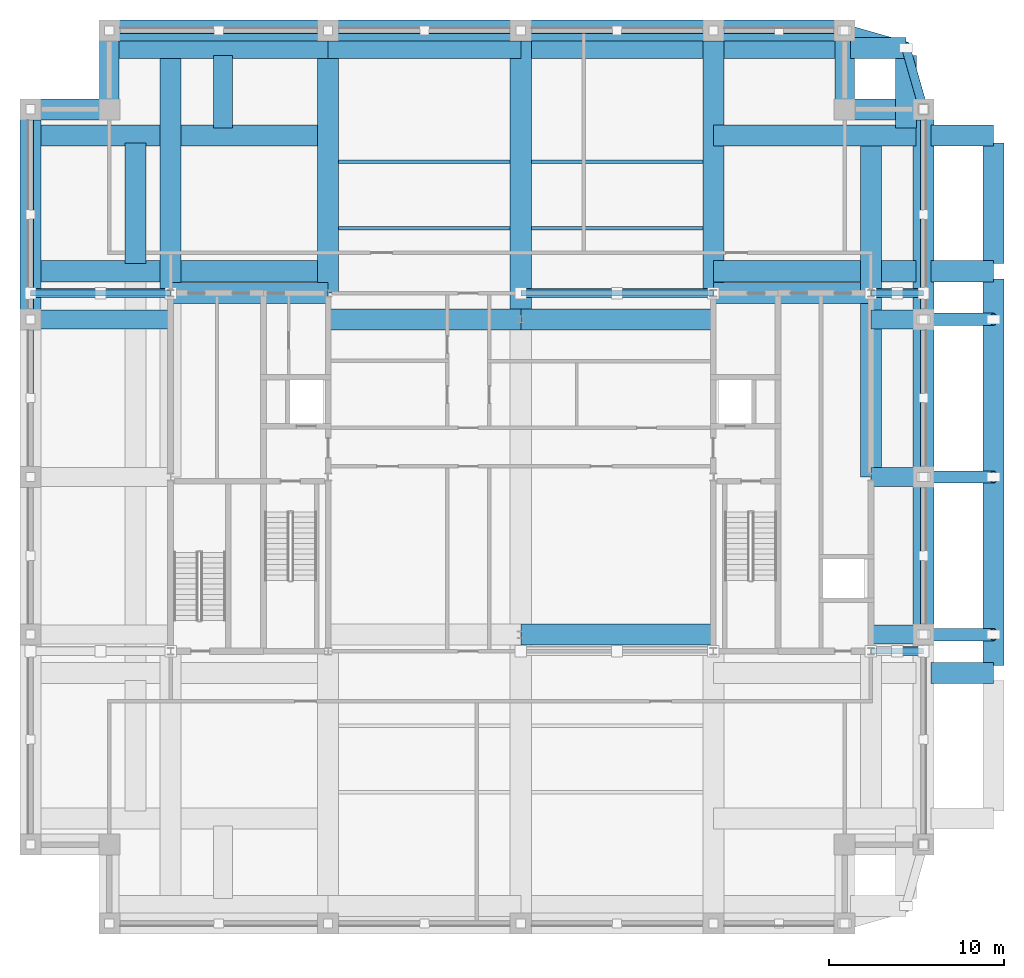
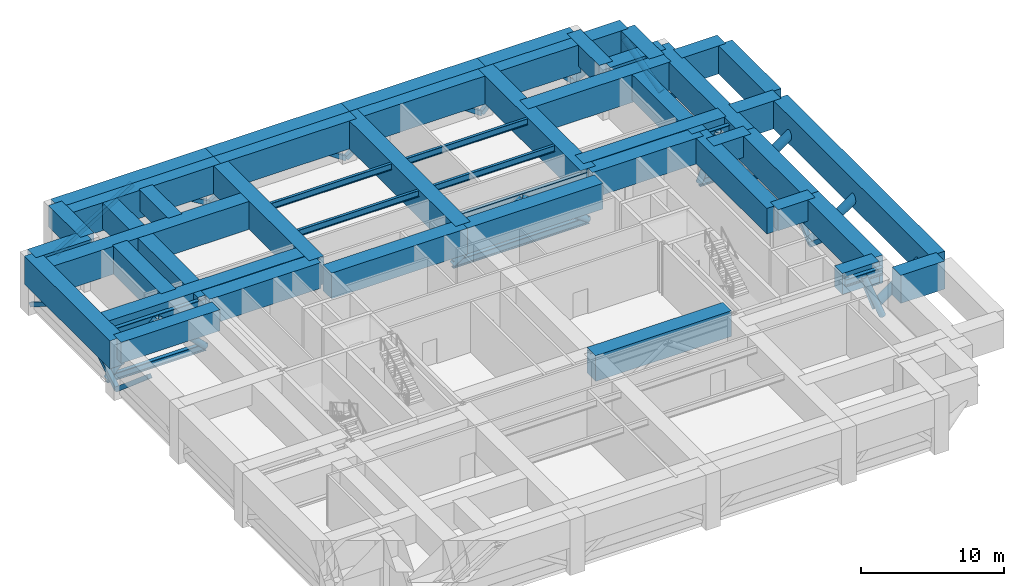
# One storey, part 2 of 10: 47 beams, 36 members.
"""IFC4 building model written with IfcOpenShell, lengths in metres."""

from ifc_helpers import new_model, si_unit, direction, frame, origin, origin_2d, place, context, subcontext, project, spatial, rectangle, hollow_rectangle, hollow_circle, i_section, extrude, material, material_profile, profile_set, type_object, element, save


model = new_model("IFC4")

# Units and contexts
model_context = context("Model", 3, precision=1e-05, world=origin(), true_north=direction((0.0, 1.0)))
body_context = subcontext(model_context, "Body", "Model", "MODEL_VIEW")
ifc_project = project(units=[si_unit("LENGTHUNIT", "METRE"), si_unit("AREAUNIT", "SQUARE_METRE"), si_unit("VOLUMEUNIT", "CUBIC_METRE"), si_unit("PLANEANGLEUNIT", "RADIAN"), si_unit("MASSUNIT", "GRAM", prefix="KILO")], contexts=[model_context])

# Site, building, storey
site_placement = place(None, origin())
site = spatial("IfcSite", under=ifc_project, at=site_placement, CompositionType="ELEMENT")
building_placement = place(site_placement, origin())
building = spatial("IfcBuilding", under=site, at=building_placement, Name="Zulmaris Gate Convention Tower", CompositionType="ELEMENT")
storey_placement = place(building_placement, frame((0.0, 0.0, 153.47998046875)))
storey = spatial("IfcBuildingStorey", under=building, at=storey_placement, Name="L39", CompositionType="ELEMENT", Elevation=153.47998046875)

# Beams
ifc_material_1 = material(Name="Concrete C80/95", Category="concrete")
ifc_material_profile_1 = material_profile(ifc_material_1, rectangle(XDim=1.10009765625, YDim=1.800048828125, at=origin_2d()), Name="RC TRANSFER 1100x1800")
ifc_profile_set_1 = profile_set([ifc_material_profile_1], Name="Concrete C80/95")
beam_type_1 = type_object("IfcBeamType", Name="BM-XFER1800", PredefinedType="BEAM", material=ifc_profile_set_1)
for number, where, z_axis, x_axis, name in (
    (1, (-23.5, 21.0, 3.434814453125), (0.0, 1.0, 0.0), (-1.0, 0.0, 0.0), "L39 Beam XFCOLV-L39-CXWN"),
    (2, (18.5, 21.0, 3.434814453125), (0.0, 1.0, 0.0), (-1.0, 0.0, 0.0), "L39 Beam XFCOLV-L39-CXEN"),
):
    element("IfcBeam", number, at=place(storey_placement, frame(where, z_axis=z_axis, x_axis=x_axis)), inside=storey, type_object=beam_type_1, Name=name, PredefinedType="BEAM", context=body_context, shape_type="SweptSolid", body=[
        extrude(rectangle(XDim=1.10009765625, YDim=1.800048828125, at=origin_2d()), origin(), (0.0, 0.0, 1.0), 4.5),
    ])
beam_1_placement = place(storey_placement, frame((-17.0, 19.93505859375, 3.434814453125), z_axis=(0.0, 1.0, 0.0), x_axis=(-1.0, 0.0, 0.0)))
element("IfcBeam", 3, at=beam_1_placement, inside=storey, type_object=beam_type_1, Name="L39 Beam XFNCH-L39-WC-+19.5", PredefinedType="BEAM", context=body_context, shape_type="SweptSolid", body=[
    extrude(rectangle(XDim=1.10009765625, YDim=1.800048828125, at=origin_2d()), origin(), (0.0, 0.0, 1.0), 4.1298828125),
])
beam_2_placement = place(storey_placement, frame((-28.0, 9.0, 3.434814453125), z_axis=(1.0, 0.0, 0.0), x_axis=(0.0, 1.0, 0.0)))
element("IfcBeam", 4, at=beam_2_placement, inside=storey, type_object=beam_type_1, Name="L39 Beam BM-L39-G18", PredefinedType="BEAM", context=body_context, shape_type="SweptSolid", body=[
    extrude(rectangle(XDim=1.10009765625, YDim=1.800048828125, at=origin_2d()), origin(), (0.0, 0.0, 1.0), 8.0),
])
for number, where, z_axis, x_axis, name in (
    (5, (20.0, -9.0, 3.434814453125), (1.0, 0.0, 0.0), (0.0, 1.0, 0.0), "L39 Beam BM-L39-G19"),
    (6, (20.0, 0.0, 3.434814453125), (1.0, 0.0, 0.0), (0.0, 1.0, 0.0), "L39 Beam BM-L39-G20"),
    (7, (20.0, 9.0, 3.434814453125), (1.0, 0.0, 0.0), (0.0, 1.0, 0.0), "L39 Beam BM-L39-G21"),
):
    element("IfcBeam", number, at=place(storey_placement, frame(where, z_axis=z_axis, x_axis=x_axis)), inside=storey, type_object=beam_type_1, Name=name, PredefinedType="BEAM", context=body_context, shape_type="SweptSolid", body=[
        extrude(rectangle(XDim=1.10009765625, YDim=1.800048828125, at=origin_2d()), origin(), (0.0, 0.0, 1.0), 3.0),
    ])
ifc_material_profile_2 = material_profile(ifc_material_1, rectangle(XDim=1.199951171875, YDim=2.199951171875, at=origin_2d()), Name="RC TRANSFER 1200x2200")
ifc_profile_set_2 = profile_set([ifc_material_profile_2], Name="Concrete C80/95")
beam_type_2 = type_object("IfcBeamType", Name="BM-XFER2200", PredefinedType="BEAM", material=ifc_profile_set_2)
for number, where, z_axis, x_axis, name in (
    (8, (0.0, -9.0, 3.234619140625), (1.0, 0.0, 0.0), (0.0, 1.0, 0.0), "L39 Beam BM-L39-G02"),
    (9, (-11.0, 9.0, 3.234619140625), (1.0, 0.0, 0.0), (0.0, 1.0, 0.0), "L39 Beam BM-L39-G03"),
    (10, (0.0, 9.0, 3.234619140625), (1.0, 0.0, 0.0), (0.0, 1.0, 0.0), "L39 Beam BM-L39-G04"),
):
    element("IfcBeam", number, at=place(storey_placement, frame(where, z_axis=z_axis, x_axis=x_axis)), inside=storey, type_object=beam_type_2, Name=name, PredefinedType="BEAM", context=body_context, shape_type="SweptSolid", body=[
        extrude(rectangle(XDim=1.199951171875, YDim=2.199951171875, at=origin_2d()), origin(), (0.0, 0.0, 1.0), 11.0),
    ])
beam_3_placement = place(storey_placement, frame((-20.0, 10.5, 3.234619140625), z_axis=(0.0, 1.0, 0.0), x_axis=(-1.0, 0.0, 0.0)))
element("IfcBeam", 11, at=beam_3_placement, inside=storey, type_object=beam_type_2, Name="L39 Beam BM-L39-G13", PredefinedType="BEAM", context=body_context, shape_type="SweptSolid", body=[
    extrude(rectangle(XDim=1.199951171875, YDim=2.199951171875, at=origin_2d()), origin(), (0.0, 0.0, 1.0), 15.0),
])
beam_4_placement = place(storey_placement, frame((20.0, 10.5, 3.234619140625), z_axis=(0.0, 1.0, 0.0), x_axis=(-1.0, 0.0, 0.0)))
element("IfcBeam", 12, at=beam_4_placement, inside=storey, type_object=beam_type_2, Name="L39 Beam BM-L39-G15", PredefinedType="BEAM", context=body_context, shape_type="SweptSolid", body=[
    extrude(rectangle(XDim=1.199951171875, YDim=2.199951171875, at=origin_2d()), origin(), (0.0, 0.0, 1.0), 8.4150390625),
])
for number, where, z_axis, x_axis, name in (
    (13, (-20.0, 10.5, 3.234619140625), (1.0, 0.0, 0.0), (0.0, 1.0, 0.0), "L39 Beam BM-L39-G23"),
    (14, (11.0, 10.5, 3.234619140625), (1.0, 0.0, 0.0), (0.0, 1.0, 0.0), "L39 Beam BM-L39-G25"),
):
    element("IfcBeam", number, at=place(storey_placement, frame(where, z_axis=z_axis, x_axis=x_axis)), inside=storey, type_object=beam_type_2, Name=name, PredefinedType="BEAM", context=body_context, shape_type="SweptSolid", body=[
        extrude(rectangle(XDim=1.199951171875, YDim=2.199951171875, at=origin_2d()), origin(), (0.0, 0.0, 1.0), 9.0),
    ])
beam_5_placement = place(storey_placement, frame((20.0, 0.0, 3.234619140625), z_axis=(0.0, 1.0, 0.0), x_axis=(-1.0, 0.0, 0.0)))
element("IfcBeam", 15, at=beam_5_placement, inside=storey, type_object=beam_type_2, Name="L39 Beam BM-L39-G29", PredefinedType="BEAM", context=body_context, shape_type="SweptSolid", body=[
    extrude(rectangle(XDim=1.199951171875, YDim=2.199951171875, at=origin_2d()), origin(), (0.0, 0.0, 1.0), 10.5),
])
ifc_material_profile_3 = material_profile(ifc_material_1, rectangle(XDim=1.199951171875, YDim=2.39990234375, at=origin_2d()), Name="RC TRANSFER 1200x2400")
ifc_profile_set_3 = profile_set([ifc_material_profile_3], Name="Concrete C80/95")
beam_type_3 = type_object("IfcBeamType", Name="BM-XFER2400", PredefinedType="BEAM", material=ifc_profile_set_3)
beam_6_placement = place(storey_placement, frame((-28.0, 9.0, 3.134765625), z_axis=(0.0, 1.0, 0.0), x_axis=(-1.0, 0.0, 0.0)))
element("IfcBeam", 16, at=beam_6_placement, inside=storey, type_object=beam_type_3, Name="L39 Beam XFCOLV-L39-XWN", PredefinedType="BEAM", context=body_context, shape_type="SweptSolid", body=[
    extrude(rectangle(XDim=1.199951171875, YDim=2.39990234375, at=origin_2d()), origin(), (0.0, 0.0, 1.0), 12.0),
])
for number, where, z_axis, x_axis, name in (
    (17, (23.0, -9.0, 3.134765625), (0.0, 1.0, 0.0), (-1.0, 0.0, 0.0), "L39 Beam XFCOLV-L39-XEM1"),
    (18, (23.0, 0.0, 3.134765625), (0.0, 1.0, 0.0), (-1.0, 0.0, 0.0), "L39 Beam XFCOLV-L39-XEM2"),
):
    element("IfcBeam", number, at=place(storey_placement, frame(where, z_axis=z_axis, x_axis=x_axis)), inside=storey, type_object=beam_type_3, Name=name, PredefinedType="BEAM", context=body_context, shape_type="SweptSolid", body=[
        extrude(rectangle(XDim=1.199951171875, YDim=2.39990234375, at=origin_2d()), origin(), (0.0, 0.0, 1.0), 9.0),
    ])
beam_7_placement = place(storey_placement, frame((23.0, 9.0, 3.134765625), z_axis=(0.0, 1.0, 0.0), x_axis=(-1.0, 0.0, 0.0)))
element("IfcBeam", 19, at=beam_7_placement, inside=storey, type_object=beam_type_3, Name="L39 Beam XFCOLV-L39-XEN", PredefinedType="BEAM", context=body_context, shape_type="SweptSolid", body=[
    extrude(rectangle(XDim=1.199951171875, YDim=2.39990234375, at=origin_2d()), origin(), (0.0, 0.0, 1.0), 12.0),
])
for number, where, z_axis, x_axis, name in (
    (20, (-11.0, 10.5, 3.134765625), (0.0, 1.0, 0.0), (-1.0, 0.0, 0.0), "L39 Beam XFCOLV-L39-C11WN"),
    (21, (11.0, 10.5, 3.134765625), (0.0, 1.0, 0.0), (-1.0, 0.0, 0.0), "L39 Beam XFCOLV-L39-C11EN"),
):
    element("IfcBeam", number, at=place(storey_placement, frame(where, z_axis=z_axis, x_axis=x_axis)), inside=storey, type_object=beam_type_3, Name=name, PredefinedType="BEAM", context=body_context, shape_type="SweptSolid", body=[
        extrude(rectangle(XDim=1.199951171875, YDim=2.39990234375, at=origin_2d()), origin(), (0.0, 0.0, 1.0), 15.0),
    ])
beam_8_placement = place(storey_placement, frame((0.0, 9.0, 3.134765625), z_axis=(0.0, 1.0, 0.0), x_axis=(-1.0, 0.0, 0.0)))
element("IfcBeam", 22, at=beam_8_placement, inside=storey, type_object=beam_type_3, Name="L39 Beam XFCOLV-L39-C0N", PredefinedType="BEAM", context=body_context, shape_type="SweptSolid", body=[
    extrude(rectangle(XDim=1.199951171875, YDim=2.39990234375, at=origin_2d()), origin(), (0.0, 0.0, 1.0), 16.5),
])
beam_9_placement = place(storey_placement, frame((23.43505859375, -11.199951171875, 3.134765625), z_axis=(1.0, 0.0, 0.0), x_axis=(0.0, 1.0, 0.0)))
element("IfcBeam", 23, at=beam_9_placement, inside=storey, type_object=beam_type_3, Name="L39 Beam XFSF-L39-E--11.20", PredefinedType="BEAM", context=body_context, shape_type="SweptSolid", body=[
    extrude(rectangle(XDim=1.199951171875, YDim=2.39990234375, at=origin_2d()), origin(), (0.0, 0.0, 1.0), 3.56494140625),
])
beam_10_placement = place(storey_placement, frame((11.0, 11.75, 3.134765625), z_axis=(1.0, 0.0, 0.0), x_axis=(0.0, 1.0, 0.0)))
element("IfcBeam", 24, at=beam_10_placement, inside=storey, type_object=beam_type_3, Name="L39 Beam XFBS-L39-E-+11.75", PredefinedType="BEAM", context=body_context, shape_type="SweptSolid", body=[
    extrude(rectangle(XDim=1.199951171875, YDim=2.39990234375, at=origin_2d()), origin(), (0.0, 0.0, 1.0), 11.56494140625),
])
beam_11_placement = place(storey_placement, frame((23.43505859375, 11.75, 3.134765625), z_axis=(1.0, 0.0, 0.0), x_axis=(0.0, 1.0, 0.0)))
element("IfcBeam", 25, at=beam_11_placement, inside=storey, type_object=beam_type_3, Name="L39 Beam XFSF-L39-E-+11.75", PredefinedType="BEAM", context=body_context, shape_type="SweptSolid", body=[
    extrude(rectangle(XDim=1.199951171875, YDim=2.39990234375, at=origin_2d()), origin(), (0.0, 0.0, 1.0), 3.56494140625),
])
beam_12_placement = place(storey_placement, frame((11.0, 19.5, 3.134765625), z_axis=(1.0, 0.0, 0.0), x_axis=(0.0, 1.0, 0.0)))
element("IfcBeam", 26, at=beam_12_placement, inside=storey, type_object=beam_type_3, Name="L39 Beam XFBS-L39-E-+19.50", PredefinedType="BEAM", context=body_context, shape_type="SweptSolid", body=[
    extrude(rectangle(XDim=1.199951171875, YDim=2.39990234375, at=origin_2d()), origin(), (0.0, 0.0, 1.0), 11.56494140625),
])
beam_13_placement = place(storey_placement, frame((23.43505859375, 19.5, 3.134765625), z_axis=(1.0, 0.0, 0.0), x_axis=(0.0, 1.0, 0.0)))
element("IfcBeam", 27, at=beam_13_placement, inside=storey, type_object=beam_type_3, Name="L39 Beam XFSF-L39-E-+19.50", PredefinedType="BEAM", context=body_context, shape_type="SweptSolid", body=[
    extrude(rectangle(XDim=1.199951171875, YDim=2.39990234375, at=origin_2d()), origin(), (0.0, 0.0, 1.0), 3.56494140625),
])
beam_14_placement = place(storey_placement, frame((27.0, -10.764892578125, 3.134765625), z_axis=(0.0, 1.0, 0.0), x_axis=(-1.0, 0.0, 0.0)))
element("IfcBeam", 28, at=beam_14_placement, inside=storey, type_object=beam_type_3, Name="L39 Beam XFEDG-L39-EM", PredefinedType="BEAM", context=body_context, shape_type="SweptSolid", body=[
    extrude(rectangle(XDim=1.199951171875, YDim=2.39990234375, at=origin_2d()), origin(), (0.0, 0.0, 1.0), 22.079833984375),
])
beam_15_placement = place(storey_placement, frame((27.0, 12.18505859375, 3.134765625), z_axis=(0.0, 1.0, 0.0), x_axis=(-1.0, 0.0, 0.0)))
element("IfcBeam", 29, at=beam_15_placement, inside=storey, type_object=beam_type_3, Name="L39 Beam XFEDG-L39-EN", PredefinedType="BEAM", context=body_context, shape_type="SweptSolid", body=[
    extrude(rectangle(XDim=1.199951171875, YDim=2.39990234375, at=origin_2d()), origin(), (0.0, 0.0, 1.0), 6.8798828125),
])
beam_16_placement = place(storey_placement, frame((0.43505859375, 24.5, 3.134765625), z_axis=(1.0, 0.0, 0.0), x_axis=(0.0, 1.0, 0.0)))
element("IfcBeam", 30, at=beam_16_placement, inside=storey, type_object=beam_type_3, Name="L39 Beam XFBS-L39-EC-+24.5", PredefinedType="BEAM", context=body_context, shape_type="SweptSolid", body=[
    extrude(rectangle(XDim=1.199951171875, YDim=2.39990234375, at=origin_2d()), origin(), (0.0, 0.0, 1.0), 17.72998046875),
])
beam_17_placement = place(storey_placement, frame((18.8349609375, 24.5, 3.134765625), z_axis=(1.0, 0.0, 0.0), x_axis=(0.0, 1.0, 0.0)))
element("IfcBeam", 31, at=beam_17_placement, inside=storey, type_object=beam_type_3, Name="L39 Beam XFSF-L39-EC-+24.5", PredefinedType="BEAM", context=body_context, shape_type="SweptSolid", body=[
    extrude(rectangle(XDim=1.199951171875, YDim=2.39990234375, at=origin_2d()), origin(), (0.0, 0.0, 1.0), 3.1650390625),
])
for number, where, z_axis, x_axis, name in (
    (32, (-28.0, 11.75, 3.134765625), (1.0, 0.0, 0.0), (0.0, 1.0, 0.0), "L39 Beam XFREC-L39-W-+11.75"),
    (33, (-28.0, 19.5, 3.134765625), (1.0, 0.0, 0.0), (0.0, 1.0, 0.0), "L39 Beam XFREC-L39-W-+19.50"),
):
    element("IfcBeam", number, at=place(storey_placement, frame(where, z_axis=z_axis, x_axis=x_axis)), inside=storey, type_object=beam_type_3, Name=name, PredefinedType="BEAM", context=body_context, shape_type="SweptSolid", body=[
        extrude(rectangle(XDim=1.199951171875, YDim=2.39990234375, at=origin_2d()), origin(), (0.0, 0.0, 1.0), 17.0),
    ])
beam_18_placement = place(storey_placement, frame((-22.0, 12.18505859375, 3.134765625), z_axis=(0.0, 1.0, 0.0), x_axis=(-1.0, 0.0, 0.0)))
element("IfcBeam", 34, at=beam_18_placement, inside=storey, type_object=beam_type_3, Name="L39 Beam XFEDG-L39-WN", PredefinedType="BEAM", context=body_context, shape_type="SweptSolid", body=[
    extrude(rectangle(XDim=1.199951171875, YDim=2.39990234375, at=origin_2d()), origin(), (0.0, 0.0, 1.0), 6.8798828125),
])
beam_19_placement = place(storey_placement, frame((-23.5, 24.5, 3.134765625), z_axis=(1.0, 0.0, 0.0), x_axis=(0.0, 1.0, 0.0)))
element("IfcBeam", 35, at=beam_19_placement, inside=storey, type_object=beam_type_3, Name="L39 Beam XFREC-L39-WC-+24.5", PredefinedType="BEAM", context=body_context, shape_type="SweptSolid", body=[
    extrude(rectangle(XDim=1.199951171875, YDim=2.39990234375, at=origin_2d()), origin(), (0.0, 0.0, 1.0), 12.5),
])
beam_20_placement = place(storey_placement, frame((-11.0, 24.5, 3.134765625), z_axis=(1.0, 0.0, 0.0), x_axis=(0.0, 1.0, 0.0)))
element("IfcBeam", 36, at=beam_20_placement, inside=storey, type_object=beam_type_3, Name="L39 Beam XFREC-L39-M1-+24.5", PredefinedType="BEAM", context=body_context, shape_type="SweptSolid", body=[
    extrude(rectangle(XDim=1.199951171875, YDim=2.39990234375, at=origin_2d()), origin(), (0.0, 0.0, 1.0), 11.0),
])
beam_21_placement = place(storey_placement, frame((22.0, 19.93505859375, 3.134765625), z_axis=(0.0, 1.0, 0.0), x_axis=(-1.0, 0.0, 0.0)))
element("IfcBeam", 37, at=beam_21_placement, inside=storey, type_object=beam_type_3, Name="L39 Beam XFNCH-L39-EC-+19.5", PredefinedType="BEAM", context=body_context, shape_type="SweptSolid", body=[
    extrude(rectangle(XDim=1.199951171875, YDim=2.39990234375, at=origin_2d()), origin(), (0.0, 0.0, 1.0), 4.1298828125),
])
beam_22_placement = place(storey_placement, frame((23.0, 21.0, 3.134765625), z_axis=(-1.0, 0.0, 0.0), x_axis=(0.0, -1.0, 0.0)))
element("IfcBeam", 38, at=beam_22_placement, inside=storey, type_object=beam_type_3, Name="L39 Beam SP-L39-11", PredefinedType="BEAM", context=body_context, shape_type="SweptSolid", body=[
    extrude(rectangle(XDim=1.199951171875, YDim=2.39990234375, at=origin_2d()), origin(), (0.0, 0.0, 1.0), 4.5),
])
beam_23_placement = place(storey_placement, frame((18.5, 25.5, 3.134765625), z_axis=(-1.0, 0.0, 0.0), x_axis=(0.0, -1.0, 0.0)))
element("IfcBeam", 39, at=beam_23_placement, inside=storey, type_object=beam_type_3, Name="L39 Beam SP-L39-13", PredefinedType="BEAM", context=body_context, shape_type="SweptSolid", body=[
    extrude(rectangle(XDim=1.199951171875, YDim=2.39990234375, at=origin_2d()), origin(), (0.0, 0.0, 1.0), 7.5),
])
for number, where, z_axis, x_axis, name in (
    (40, (11.0, 25.5, 3.134765625), (-1.0, 0.0, 0.0), (0.0, -1.0, 0.0), "L39 Beam SP-L39-14"),
    (41, (0.0, 25.5, 3.134765625), (-1.0, 0.0, 0.0), (0.0, -1.0, 0.0), "L39 Beam SP-L39-15"),
):
    element("IfcBeam", number, at=place(storey_placement, frame(where, z_axis=z_axis, x_axis=x_axis)), inside=storey, type_object=beam_type_3, Name=name, PredefinedType="BEAM", context=body_context, shape_type="SweptSolid", body=[
        extrude(rectangle(XDim=1.199951171875, YDim=2.39990234375, at=origin_2d()), origin(), (0.0, 0.0, 1.0), 11.0),
    ])
beam_24_placement = place(storey_placement, frame((-11.0, 25.5, 3.134765625), z_axis=(-1.0, 0.0, 0.0), x_axis=(0.0, -1.0, 0.0)))
element("IfcBeam", 42, at=beam_24_placement, inside=storey, type_object=beam_type_3, Name="L39 Beam SP-L39-16", PredefinedType="BEAM", context=body_context, shape_type="SweptSolid", body=[
    extrude(rectangle(XDim=1.199951171875, YDim=2.39990234375, at=origin_2d()), origin(), (0.0, 0.0, 1.0), 12.5),
])
beam_25_placement = place(storey_placement, frame((-23.5, 21.0, 3.134765625), z_axis=(-1.0, 0.0, 0.0), x_axis=(0.0, -1.0, 0.0)))
element("IfcBeam", 43, at=beam_25_placement, inside=storey, type_object=beam_type_3, Name="L39 Beam SP-L39-18", PredefinedType="BEAM", context=body_context, shape_type="SweptSolid", body=[
    extrude(rectangle(XDim=1.199951171875, YDim=2.39990234375, at=origin_2d()), origin(), (0.0, 0.0, 1.0), 4.5),
])

# Members
ifc_material_2 = material(Name="Steel S460", Category="steel")
ifc_material_profile_4 = material_profile(ifc_material_2, hollow_circle(Radius=0.25390625, WallThickness=0.02490234375, at=origin_2d()), Name="CHS 508x25")
ifc_profile_set_4 = profile_set([ifc_material_profile_4], Name="Steel S460")
member_type_1 = type_object("IfcMemberType", Name="BR-CHS508", PredefinedType="BRACE", material=ifc_profile_set_4)
member_1_placement = place(storey_placement, frame((23.0, 21.0, 0.35009765625), z_axis=(-0.218195159141, 0.763683056993, 0.607601070596), x_axis=(-0.961523947641, -0.274721127897, 0.0)))
element("IfcMember", 44, at=member_1_placement, inside=storey, type_object=member_type_1, Name="L39 Shifted Block Notch Web Strut EC +24.5", PredefinedType="BRACE", context=body_context, shape_type="SweptSolid", body=[
    extrude(hollow_circle(Radius=0.25390625, WallThickness=0.02490234375, at=origin_2d()), origin(), (0.0, 0.0, 1.0), 4.5830078125),
])
member_2_placement = place(storey_placement, frame((21.5, -9.949951171875, 3.834716796875), z_axis=(0.364285331726, 0.0, -0.931287386949), x_axis=(0.0, 1.0, 0.0)))
element("IfcMember", 45, at=member_2_placement, inside=storey, type_object=member_type_1, Name="L39 Outrigger Truss Diagonal OT-L39-DG--9.9-+20-B", PredefinedType="BRACE", context=body_context, shape_type="SweptSolid", body=[
    extrude(hollow_circle(Radius=0.25390625, WallThickness=0.02490234375, at=origin_2d()), origin(), (0.0, 0.0, 1.0), 4.11767578125),
])
for number, where, z_axis, x_axis, name in (
    (46, (-28.0, 10.5, 0.0), (0.721863472383, 0.0, 0.69203549565), (0.0, 1.0, 0.0), "L39 Outrigger Truss Diagonal OT-L39-DG-+10.5--28-A"),
    (47, (-24.0, 10.5, 3.834716796875), (0.721863472383, 0.0, -0.69203549565), (0.0, 1.0, 0.0), "L39 Outrigger Truss Diagonal OT-L39-DG-+10.5--28-B"),
):
    element("IfcMember", number, at=place(storey_placement, frame(where, z_axis=z_axis, x_axis=x_axis)), inside=storey, type_object=member_type_1, Name=name, PredefinedType="BRACE", context=body_context, shape_type="SweptSolid", body=[
        extrude(hollow_circle(Radius=0.25390625, WallThickness=0.02490234375, at=origin_2d()), origin(), (0.0, 0.0, 1.0), 5.541259765625),
    ])
for number, where, z_axis, x_axis, name in (
    (48, (20.0, 10.5, 0.0), (0.364285331726, 0.0, 0.931287386949), (0.0, 1.0, 0.0), "L39 Outrigger Truss Diagonal OT-L39-DG-+10.5-+20-A"),
    (49, (21.5, 10.5, 3.834716796875), (0.364285331726, 0.0, -0.931287386949), (0.0, 1.0, 0.0), "L39 Outrigger Truss Diagonal OT-L39-DG-+10.5-+20-B"),
):
    element("IfcMember", number, at=place(storey_placement, frame(where, z_axis=z_axis, x_axis=x_axis)), inside=storey, type_object=member_type_1, Name=name, PredefinedType="BRACE", context=body_context, shape_type="SweptSolid", body=[
        extrude(hollow_circle(Radius=0.25390625, WallThickness=0.02490234375, at=origin_2d()), origin(), (0.0, 0.0, 1.0), 4.11767578125),
    ])
for number, where, z_axis, x_axis, name in (
    (50, (0.0, 10.5, 0.0), (0.820301362513, 0.0, 0.571931529696), (0.0, 1.0, 0.0), "L39 Outrigger Truss Diagonal OT-L39-DG-+10.5-+0-A"),
    (51, (5.5, 10.5, 3.834716796875), (0.820301362513, 0.0, -0.571931529696), (0.0, 1.0, 0.0), "L39 Outrigger Truss Diagonal OT-L39-DG-+10.5-+0-B"),
):
    element("IfcMember", number, at=place(storey_placement, frame(where, z_axis=z_axis, x_axis=x_axis)), inside=storey, type_object=member_type_1, Name=name, PredefinedType="BRACE", context=body_context, shape_type="SweptSolid", body=[
        extrude(hollow_circle(Radius=0.25390625, WallThickness=0.02490234375, at=origin_2d()), origin(), (0.0, 0.0, 1.0), 6.704833984375),
    ])
ifc_material_profile_5 = material_profile(ifc_material_2, hollow_circle(Radius=0.35546875, WallThickness=0.035888671875, at=origin_2d()), Name="CHS 711x36")
ifc_profile_set_5 = profile_set([ifc_material_profile_5], Name="Steel S460")
member_type_2 = type_object("IfcMemberType", Name="BR-CHS711", PredefinedType="BRACE", material=ifc_profile_set_5)
for number, where, z_axis, x_axis, name in (
    (52, (23.0, -9.0, 0.35009765625), (0.82070708168, 0.0, 0.57134918052), (0.0, 1.0, 0.0), "L39 Shifted Block Transfer Raking Strut E -9.0"),
    (53, (23.0, 0.0, 0.35009765625), (0.82070708168, 0.0, 0.57134918052), (0.0, 1.0, 0.0), "L39 Shifted Block Transfer Raking Strut E +0.0"),
    (54, (23.0, 9.0, 0.35009765625), (0.82070708168, 0.0, 0.57134918052), (0.0, 1.0, 0.0), "L39 Shifted Block Transfer Raking Strut E +9.0"),
):
    element("IfcMember", number, at=place(storey_placement, frame(where, z_axis=z_axis, x_axis=x_axis)), inside=storey, type_object=member_type_2, Name=name, PredefinedType="BRACE", context=body_context, shape_type="SweptSolid", body=[
        extrude(hollow_circle(Radius=0.35546875, WallThickness=0.035888671875, at=origin_2d()), origin(), (0.0, 0.0, 1.0), 4.873779296875),
    ])
member_3_placement = place(storey_placement, frame((18.5, 25.5, 0.35009765625), z_axis=(0.763683056993, -0.218195159141, 0.607601070596), x_axis=(0.274721127897, 0.961523947641, 0.0)))
element("IfcMember", 55, at=member_3_placement, inside=storey, type_object=member_type_2, Name="L39 Shifted Block Corner Raking Strut EC +24.5", PredefinedType="BRACE", context=body_context, shape_type="SweptSolid", body=[
    extrude(hollow_circle(Radius=0.35546875, WallThickness=0.035888671875, at=origin_2d()), origin(), (0.0, 0.0, 1.0), 4.5830078125),
])
ifc_material_profile_6 = material_profile(ifc_material_2, hollow_rectangle(XDim=0.35009765625, YDim=0.35009765625, WallThickness=0.01611328125, at=origin_2d()), Name="SHS 350x350x16")
ifc_profile_set_6 = profile_set([ifc_material_profile_6], Name="Steel S460")
member_type_3 = type_object("IfcMemberType", Name="BR-SHS350", PredefinedType="BRACE", material=ifc_profile_set_6)
for number, where, z_axis, x_axis, name in (
    (56, (-23.5, 25.5, 0.0), (0.852353760901, 0.0, 0.522965645409), (0.0, 1.0, 0.0), "L39 Perimeter Belt Truss Diagonal 05-1"),
    (57, (-17.25, 25.5, 3.834716796875), (0.852353760901, 0.0, -0.522965645409), (0.0, 1.0, 0.0), "L39 Perimeter Belt Truss Diagonal 05-2"),
):
    element("IfcMember", number, at=place(storey_placement, frame(where, z_axis=z_axis, x_axis=x_axis)), inside=storey, type_object=member_type_3, Name=name, PredefinedType="BRACE", context=body_context, shape_type="SweptSolid", body=[
        extrude(hollow_rectangle(XDim=0.35009765625, YDim=0.35009765625, WallThickness=0.01611328125, at=origin_2d()), origin(), (0.0, 0.0, 1.0), 7.33251953125),
    ])
for number, where, z_axis, x_axis, name in (
    (58, (-11.0, 25.5, 0.0), (0.820301362513, 0.0, 0.571931529696), (0.0, 1.0, 0.0), "L39 Perimeter Belt Truss Diagonal 06-1"),
    (59, (-5.5, 25.5, 3.834716796875), (0.820301362513, 0.0, -0.571931529696), (0.0, 1.0, 0.0), "L39 Perimeter Belt Truss Diagonal 06-2"),
    (60, (0.0, 25.5, 0.0), (0.820301362513, 0.0, 0.571931529696), (0.0, 1.0, 0.0), "L39 Perimeter Belt Truss Diagonal 07-1"),
    (61, (5.5, 25.5, 3.834716796875), (0.820301362513, 0.0, -0.571931529696), (0.0, 1.0, 0.0), "L39 Perimeter Belt Truss Diagonal 07-2"),
):
    element("IfcMember", number, at=place(storey_placement, frame(where, z_axis=z_axis, x_axis=x_axis)), inside=storey, type_object=member_type_3, Name=name, PredefinedType="BRACE", context=body_context, shape_type="SweptSolid", body=[
        extrude(hollow_rectangle(XDim=0.35009765625, YDim=0.35009765625, WallThickness=0.01611328125, at=origin_2d()), origin(), (0.0, 0.0, 1.0), 6.704833984375),
    ])
for number, where, z_axis, x_axis, name in (
    (62, (11.0, 25.5, 0.0), (0.699165205956, 0.0, 0.714960149085), (0.0, 1.0, 0.0), "L39 Perimeter Belt Truss Diagonal 08-1"),
    (63, (14.75, 25.5, 3.834716796875), (0.699165205956, 0.0, -0.714960149085), (0.0, 1.0, 0.0), "L39 Perimeter Belt Truss Diagonal 08-2"),
):
    element("IfcMember", number, at=place(storey_placement, frame(where, z_axis=z_axis, x_axis=x_axis)), inside=storey, type_object=member_type_3, Name=name, PredefinedType="BRACE", context=body_context, shape_type="SweptSolid", body=[
        extrude(hollow_rectangle(XDim=0.35009765625, YDim=0.35009765625, WallThickness=0.01611328125, at=origin_2d()), origin(), (0.0, 0.0, 1.0), 5.363525390625),
    ])
member_4_placement = place(storey_placement, frame((-28.0, 4.5, 3.834716796875), z_axis=(0.0, 0.761127707316, -0.648602045291), x_axis=(-1.0, 0.0, 0.0)))
element("IfcMember", 64, at=member_4_placement, inside=storey, type_object=member_type_3, Name="L39 Perimeter Belt Truss Diagonal 11-2", PredefinedType="BRACE", context=body_context, shape_type="SweptSolid", body=[
    extrude(hollow_rectangle(XDim=0.35009765625, YDim=0.35009765625, WallThickness=0.01611328125, at=origin_2d()), origin(), (0.0, 0.0, 1.0), 5.912353515625),
])
for number, where, z_axis, x_axis, name in (
    (65, (-28.0, 9.0, 0.0), (0.0, 0.842608101106, 0.538527239749), (-1.0, 0.0, 0.0), "L39 Perimeter Belt Truss Diagonal 12-1"),
    (66, (-28.0, 15.0, 3.834716796875), (0.0, 0.842608101106, -0.538527239749), (-1.0, 0.0, 0.0), "L39 Perimeter Belt Truss Diagonal 12-2"),
):
    element("IfcMember", number, at=place(storey_placement, frame(where, z_axis=z_axis, x_axis=x_axis)), inside=storey, type_object=member_type_3, Name=name, PredefinedType="BRACE", context=body_context, shape_type="SweptSolid", body=[
        extrude(hollow_rectangle(XDim=0.35009765625, YDim=0.35009765625, WallThickness=0.01611328125, at=origin_2d()), origin(), (0.0, 0.0, 1.0), 7.120849609375),
    ])
for number, where, z_axis, x_axis, name in (
    (67, (23.0, -9.0, 0.0), (0.0, 0.761127707316, 0.648602045291), (-1.0, 0.0, 0.0), "L39 Perimeter Belt Truss Diagonal 14-1"),
    (68, (23.0, -4.5, 3.834716796875), (0.0, 0.761127707316, -0.648602045291), (-1.0, 0.0, 0.0), "L39 Perimeter Belt Truss Diagonal 14-2"),
    (69, (23.0, 0.0, 0.0), (0.0, 0.761127707316, 0.648602045291), (-1.0, 0.0, 0.0), "L39 Perimeter Belt Truss Diagonal 15-1"),
    (70, (23.0, 4.5, 3.834716796875), (0.0, 0.761127707316, -0.648602045291), (-1.0, 0.0, 0.0), "L39 Perimeter Belt Truss Diagonal 15-2"),
):
    element("IfcMember", number, at=place(storey_placement, frame(where, z_axis=z_axis, x_axis=x_axis)), inside=storey, type_object=member_type_3, Name=name, PredefinedType="BRACE", context=body_context, shape_type="SweptSolid", body=[
        extrude(hollow_rectangle(XDim=0.35009765625, YDim=0.35009765625, WallThickness=0.01611328125, at=origin_2d()), origin(), (0.0, 0.0, 1.0), 5.912353515625),
    ])
for number, where, z_axis, x_axis, name in (
    (71, (23.0, 9.0, 0.0), (0.0, 0.842608101106, 0.538527239749), (-1.0, 0.0, 0.0), "L39 Perimeter Belt Truss Diagonal 16-1"),
    (72, (23.0, 15.0, 3.834716796875), (0.0, 0.842608101106, -0.538527239749), (-1.0, 0.0, 0.0), "L39 Perimeter Belt Truss Diagonal 16-2"),
):
    element("IfcMember", number, at=place(storey_placement, frame(where, z_axis=z_axis, x_axis=x_axis)), inside=storey, type_object=member_type_3, Name=name, PredefinedType="BRACE", context=body_context, shape_type="SweptSolid", body=[
        extrude(hollow_rectangle(XDim=0.35009765625, YDim=0.35009765625, WallThickness=0.01611328125, at=origin_2d()), origin(), (0.0, 0.0, 1.0), 7.120849609375),
    ])
ifc_material_profile_7 = material_profile(ifc_material_2, i_section(OverallWidth=0.304931640625, OverallDepth=0.6201171875, WebThickness=0.02099609375, FlangeThickness=0.0400390625, FilletRadius=0.027099609375, at=origin_2d()), Name="HEM 600")
ifc_profile_set_7 = profile_set([ifc_material_profile_7], Name="Steel S460")
member_type_4 = type_object("IfcMemberType", Name="CH-HEM600", PredefinedType="CHORD", material=ifc_profile_set_7)
member_5_placement = place(storey_placement, frame((20.0, -9.949951171875, 3.834716796875), z_axis=(1.0, 0.0, 0.0), x_axis=(0.0, 1.0, 0.0)))
element("IfcMember", 73, at=member_5_placement, inside=storey, type_object=member_type_4, Name="L39 Outrigger Truss Top Chord -9.9", PredefinedType="CHORD", context=body_context, shape_type="SweptSolid", body=[
    extrude(i_section(OverallWidth=0.304931640625, OverallDepth=0.6201171875, WebThickness=0.02099609375, FlangeThickness=0.0400390625, FilletRadius=0.027099609375, at=origin_2d()), origin(), (0.0, 0.0, 1.0), 3.0),
])
for number, where, z_axis, x_axis, name in (
    (74, (-28.0, 10.5, 0.0), (1.0, 0.0, 0.0), (0.0, 1.0, 0.0), "L39 Outrigger Truss Bottom Chord +10.5"),
    (75, (-28.0, 10.5, 3.834716796875), (1.0, 0.0, 0.0), (0.0, 1.0, 0.0), "L39 Outrigger Truss Top Chord +10.5"),
):
    element("IfcMember", number, at=place(storey_placement, frame(where, z_axis=z_axis, x_axis=x_axis)), inside=storey, type_object=member_type_4, Name=name, PredefinedType="CHORD", context=body_context, shape_type="SweptSolid", body=[
        extrude(i_section(OverallWidth=0.304931640625, OverallDepth=0.6201171875, WebThickness=0.02099609375, FlangeThickness=0.0400390625, FilletRadius=0.027099609375, at=origin_2d()), origin(), (0.0, 0.0, 1.0), 8.0),
    ])
for number, where, z_axis, x_axis, name in (
    (76, (20.0, 10.5, 0.0), (1.0, 0.0, 0.0), (0.0, 1.0, 0.0), "L39 Outrigger Truss Bottom Chord +10.5"),
    (77, (20.0, 10.5, 3.834716796875), (1.0, 0.0, 0.0), (0.0, 1.0, 0.0), "L39 Outrigger Truss Top Chord +10.5"),
):
    element("IfcMember", number, at=place(storey_placement, frame(where, z_axis=z_axis, x_axis=x_axis)), inside=storey, type_object=member_type_4, Name=name, PredefinedType="CHORD", context=body_context, shape_type="SweptSolid", body=[
        extrude(i_section(OverallWidth=0.304931640625, OverallDepth=0.6201171875, WebThickness=0.02099609375, FlangeThickness=0.0400390625, FilletRadius=0.027099609375, at=origin_2d()), origin(), (0.0, 0.0, 1.0), 3.0),
    ])
for number, where, z_axis, x_axis, name in (
    (78, (0.0, 10.5, 0.0), (1.0, 0.0, 0.0), (0.0, 1.0, 0.0), "L39 Outrigger Truss Bottom Chord +10.5"),
    (79, (0.0, 10.5, 3.834716796875), (1.0, 0.0, 0.0), (0.0, 1.0, 0.0), "L39 Outrigger Truss Top Chord +10.5"),
):
    element("IfcMember", number, at=place(storey_placement, frame(where, z_axis=z_axis, x_axis=x_axis)), inside=storey, type_object=member_type_4, Name=name, PredefinedType="CHORD", context=body_context, shape_type="SweptSolid", body=[
        extrude(i_section(OverallWidth=0.304931640625, OverallDepth=0.6201171875, WebThickness=0.02099609375, FlangeThickness=0.0400390625, FilletRadius=0.027099609375, at=origin_2d()), origin(), (0.0, 0.0, 1.0), 11.0),
    ])

# Beams
ifc_material_3 = material(Name="Steel S355", Category="steel")
ifc_material_profile_8 = material_profile(ifc_material_3, i_section(OverallWidth=0.2099609375, OverallDepth=0.550048828125, WebThickness=0.010986328125, FlangeThickness=0.01708984375, FilletRadius=0.02392578125, at=origin_2d()), Name="IPE 550")
ifc_profile_set_8 = profile_set([ifc_material_profile_8], Name="Steel S355")
beam_type_4 = type_object("IfcBeamType", Name="JT-IPE550", PredefinedType="JOIST", material=ifc_profile_set_8)
for number, where, z_axis, x_axis, name in (
    (80, (-10.39990234375, 14.199951171875, 4.0576171875), (1.0, 0.0, 0.0), (0.0, 1.0, 0.0), "L39 Joist JT-L39-CW-+14.2"),
    (81, (0.60009765625, 14.199951171875, 4.0576171875), (1.0, 0.0, 0.0), (0.0, 1.0, 0.0), "L39 Joist JT-L39-CE-+14.2"),
    (82, (-10.39990234375, 18.0, 4.0576171875), (1.0, 0.0, 0.0), (0.0, 1.0, 0.0), "L39 Joist JT-L39-CW-+18.0"),
    (83, (0.60009765625, 18.0, 4.0576171875), (1.0, 0.0, 0.0), (0.0, 1.0, 0.0), "L39 Joist JT-L39-CE-+18.0"),
):
    element("IfcBeam", number, at=place(storey_placement, frame(where, z_axis=z_axis, x_axis=x_axis)), inside=storey, type_object=beam_type_4, Name=name, PredefinedType="JOIST", context=body_context, shape_type="SweptSolid", body=[
        extrude(i_section(OverallWidth=0.2099609375, OverallDepth=0.550048828125, WebThickness=0.010986328125, FlangeThickness=0.01708984375, FilletRadius=0.02392578125, at=origin_2d()), origin(), (0.0, 0.0, 1.0), 9.7998046875),
    ])

save(model, "model.ifc")
